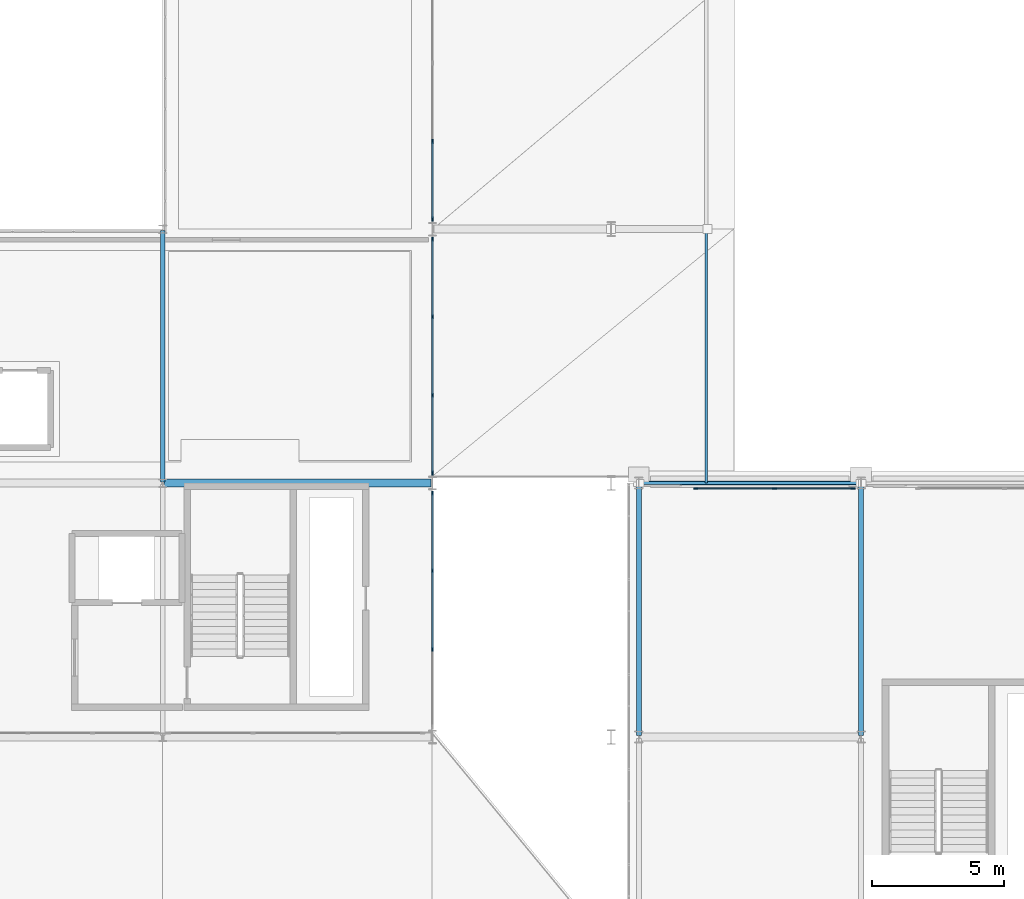
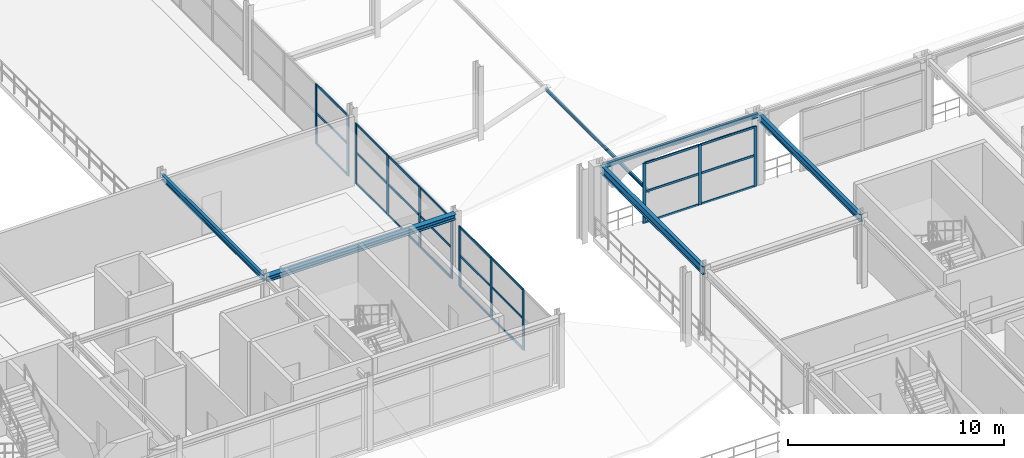
# One storey, part 20 of 81: 37 members, 5 beams, 4 elements without a shape of their own.
"""IFC4 building model written with IfcOpenShell, lengths in metres."""

from ifc_helpers import new_model, si_unit, direction, frame, origin, origin_2d, place, context, subcontext, project, spatial, rectangle, hollow_rectangle, i_section, extrude, material, layer, layer_set, material_profile, profile_set, type_object, element, aggregate, save


model = new_model("IFC4")

# Units and contexts
model_context = context("Model", 3, precision=1e-05, world=origin(), true_north=direction((0.0, 1.0)))
body_context = subcontext(model_context, "Body", "Model", "MODEL_VIEW")
ifc_project = project(units=[si_unit("LENGTHUNIT", "METRE"), si_unit("AREAUNIT", "SQUARE_METRE"), si_unit("VOLUMEUNIT", "CUBIC_METRE"), si_unit("PLANEANGLEUNIT", "RADIAN"), si_unit("MASSUNIT", "GRAM", prefix="KILO")], contexts=[model_context])

# Site, building, storey
site_placement = place(None, origin())
site = spatial("IfcSite", under=ifc_project, at=site_placement, CompositionType="ELEMENT")
building_placement = place(site_placement, origin())
building = spatial("IfcBuilding", under=site, at=building_placement, Name="Myrtia Square Station", CompositionType="ELEMENT")
storey_placement = place(building_placement, frame((0.0, 0.0, 10.800048828125)))
storey = spatial("IfcBuildingStorey", under=building, at=storey_placement, Name="L02", CompositionType="ELEMENT", Elevation=10.800048828125)

# Beams
ifc_material_1 = material(Name="Steel S355", Category="steel")
ifc_material_profile_1 = material_profile(ifc_material_1, i_section(OverallWidth=0.300048828125, OverallDepth=0.300048828125, WebThickness=0.010986328125, FlangeThickness=0.01904296875, FilletRadius=0.027099609375, at=origin_2d()), Name="HEB 300")
ifc_profile_set_1 = profile_set([ifc_material_profile_1], Name="Steel S355")
beam_type_1 = type_object("IfcBeamType", Name="BM-HEB300", PredefinedType="BEAM", material=ifc_profile_set_1)
beam_1_placement = place(storey_placement, frame((99.64990234375, 38.39990234375, 3.81005859375), z_axis=(1.0, 0.0, 0.0), x_axis=(0.0, 1.0, 0.0)))
element("IfcBeam", 1, at=beam_1_placement, inside=storey, type_object=beam_type_1, Name="Structural girder BMX-L02-0696", PredefinedType="BEAM", context=body_context, shape_type="SweptSolid", body=[
    extrude(i_section(OverallWidth=0.300048828125, OverallDepth=0.300048828125, WebThickness=0.010986328125, FlangeThickness=0.01904296875, FilletRadius=0.027099609375, at=origin_2d()), origin(), (0.0, 0.0, 1.0), 10.10009765625),
])
ifc_material_profile_2 = material_profile(ifc_material_1, i_section(OverallWidth=0.159912109375, OverallDepth=0.330078125, WebThickness=0.007568359375, FlangeThickness=0.011474609375, FilletRadius=0.01806640625, at=origin_2d()), Name="IPE 330")
ifc_profile_set_2 = profile_set([ifc_material_profile_2], Name="Steel S355")
beam_type_2 = type_object("IfcBeamType", Name="BM-IPE330", PredefinedType="BEAM", material=ifc_profile_set_2)
beam_2_placement = place(storey_placement, frame((99.60009765625, 38.449951171875, 3.794921875), z_axis=(0.0, 1.0, 0.0), x_axis=(-1.0, 0.0, 0.0)))
element("IfcBeam", 2, at=beam_2_placement, inside=storey, type_object=beam_type_2, Name="Structural girder BMY-L02-0708", PredefinedType="BEAM", context=body_context, shape_type="SweptSolid", body=[
    extrude(i_section(OverallWidth=0.159912109375, OverallDepth=0.330078125, WebThickness=0.007568359375, FlangeThickness=0.011474609375, FilletRadius=0.01806640625, at=origin_2d()), origin(), (0.0, 0.0, 1.0), 9.5),
])
ifc_material_profile_3 = material_profile(ifc_material_1, i_section(OverallWidth=0.179931640625, OverallDepth=0.39990234375, WebThickness=0.008544921875, FlangeThickness=0.013427734375, FilletRadius=0.02099609375, at=origin_2d()), Name="IPE 400")
ifc_profile_set_3 = profile_set([ifc_material_profile_3], Name="Steel S355")
beam_type_3 = type_object("IfcBeamType", Name="BM-IPE400", PredefinedType="BEAM", material=ifc_profile_set_3)
beam_3_placement = place(storey_placement, frame((126.0, 28.85009765625, 3.760009765625), z_axis=(0.0, 1.0, 0.0), x_axis=(-1.0, 0.0, 0.0)))
element("IfcBeam", 3, at=beam_3_placement, inside=storey, type_object=beam_type_3, Name="Structural girder BMY-L02-0733", PredefinedType="BEAM", context=body_context, shape_type="SweptSolid", body=[
    extrude(i_section(OverallWidth=0.179931640625, OverallDepth=0.39990234375, WebThickness=0.008544921875, FlangeThickness=0.013427734375, FilletRadius=0.02099609375, at=origin_2d()), origin(), (0.0, 0.0, 1.0), 9.5),
])
ifc_material_profile_4 = material_profile(ifc_material_1, i_section(OverallWidth=0.18994140625, OverallDepth=0.449951171875, WebThickness=0.009521484375, FlangeThickness=0.0146484375, FilletRadius=0.02099609375, at=origin_2d()), Name="IPE 450")
ifc_profile_set_4 = profile_set([ifc_material_profile_4], Name="Steel S355")
beam_type_4 = type_object("IfcBeamType", Name="BM-IPE450", PredefinedType="BEAM", material=ifc_profile_set_4)
beam_4_placement = place(storey_placement, frame((117.60009765625, 28.85009765625, 3.73486328125), z_axis=(0.0, 1.0, 0.0), x_axis=(-1.0, 0.0, 0.0)))
element("IfcBeam", 4, at=beam_4_placement, inside=storey, type_object=beam_type_4, Name="Structural girder BMY-L02-0729", PredefinedType="BEAM", context=body_context, shape_type="SweptSolid", body=[
    extrude(i_section(OverallWidth=0.18994140625, OverallDepth=0.449951171875, WebThickness=0.009521484375, FlangeThickness=0.0146484375, FilletRadius=0.02099609375, at=origin_2d()), origin(), (0.0, 0.0, 1.0), 9.5),
])

# Curtain wall, members
ifc_material_2 = material(Name="Dark bronze anodised aluminium", Category="aluminium")
ifc_layer_1 = layer(ifc_material_2, 0.159912109375, Name="Dark bronze anodised aluminium")
ifc_layer_set_1 = layer_set([ifc_layer_1], Name="Dark bronze anodised aluminium")
curtain_wall_type_1 = type_object("IfcCurtainWallType", Name="CW-TYPE-06-890x341", PredefinedType="USERDEFINED", material=ifc_layer_set_1)
curtain_wall_1_placement = place(storey_placement, origin())
curtain_wall_1 = element("IfcCurtainWall", 5, at=curtain_wall_1_placement, inside=storey, type_object=curtain_wall_type_1, Name="Concourse curtain wall CW-L02-020", ObjectType="CONCOURSE CURTAIN WALL", PredefinedType="USERDEFINED")
ifc_material_profile_5 = material_profile(ifc_material_2, rectangle(XDim=0.06005859375, YDim=0.159912109375, at=origin_2d()), Name="ALU-M 60x160")
ifc_profile_set_5 = profile_set([ifc_material_profile_5], Name="Dark bronze anodised aluminium")
member_type_1 = type_object("IfcMemberType", Name="CWM-60x160", PredefinedType="MULLION", material=ifc_profile_set_5)
member_1_placement = place(storey_placement, frame((109.800048828125, 32.11669921875, 0.0), z_axis=(0.0, 0.0, 1.0), x_axis=(-1.0, 0.0, 0.0)))
member_1 = element("IfcMember", 6, at=member_1_placement, type_object=member_type_1, Name="CW-020 mullion 2", PredefinedType="MULLION", context=body_context, shape_type="SweptSolid", body=[
    extrude(rectangle(XDim=0.06005859375, YDim=0.159912109375, at=origin_2d()), origin(), (0.0, 0.0, 1.0), 3.409912109375),
])
member_2_placement = place(storey_placement, frame((109.800048828125, 35.083251953125, 0.0), z_axis=(0.0, 0.0, 1.0), x_axis=(-1.0, 0.0, 0.0)))
member_2 = element("IfcMember", 7, at=member_2_placement, type_object=member_type_1, Name="CW-020 mullion 3", PredefinedType="MULLION", context=body_context, shape_type="SweptSolid", body=[
    extrude(rectangle(XDim=0.06005859375, YDim=0.159912109375, at=origin_2d()), origin(), (0.0, 0.0, 1.0), 3.409912109375),
])
member_3_placement = place(storey_placement, frame((109.800048828125, 38.02001953125, 0.0), z_axis=(0.0, 0.0, 1.0), x_axis=(-1.0, 0.0, 0.0)))
member_3 = element("IfcMember", 8, at=member_3_placement, type_object=member_type_1, Name="CW-020 mullion 4", PredefinedType="MULLION", context=body_context, shape_type="SweptSolid", body=[
    extrude(rectangle(XDim=0.06005859375, YDim=0.159912109375, at=origin_2d()), origin(), (0.0, 0.0, 1.0), 3.409912109375),
])

curtain_wall_2_placement = place(storey_placement, origin())
curtain_wall_2 = element("IfcCurtainWall", 9, at=curtain_wall_2_placement, inside=storey, type_object=curtain_wall_type_1, Name="Concourse curtain wall CW-L02-022", ObjectType="CONCOURSE CURTAIN WALL", PredefinedType="USERDEFINED")
member_4_placement = place(storey_placement, frame((109.800048828125, 38.780029296875, 0.0), z_axis=(0.0, 0.0, 1.0), x_axis=(-1.0, 0.0, 0.0)))
member_4 = element("IfcMember", 10, at=member_4_placement, type_object=member_type_1, Name="CW-022 mullion 1", PredefinedType="MULLION", context=body_context, shape_type="SweptSolid", body=[
    extrude(rectangle(XDim=0.06005859375, YDim=0.159912109375, at=origin_2d()), origin(), (0.0, 0.0, 1.0), 3.409912109375),
])
member_5_placement = place(storey_placement, frame((109.800048828125, 41.716552734375, 0.0), z_axis=(0.0, 0.0, 1.0), x_axis=(-1.0, 0.0, 0.0)))
member_5 = element("IfcMember", 11, at=member_5_placement, type_object=member_type_1, Name="CW-022 mullion 2", PredefinedType="MULLION", context=body_context, shape_type="SweptSolid", body=[
    extrude(rectangle(XDim=0.06005859375, YDim=0.159912109375, at=origin_2d()), origin(), (0.0, 0.0, 1.0), 3.409912109375),
])
member_6_placement = place(storey_placement, frame((109.800048828125, 44.683349609375, 0.0), z_axis=(0.0, 0.0, 1.0), x_axis=(-1.0, 0.0, 0.0)))
member_6 = element("IfcMember", 12, at=member_6_placement, type_object=member_type_1, Name="CW-022 mullion 3", PredefinedType="MULLION", context=body_context, shape_type="SweptSolid", body=[
    extrude(rectangle(XDim=0.06005859375, YDim=0.159912109375, at=origin_2d()), origin(), (0.0, 0.0, 1.0), 3.409912109375),
])
member_7_placement = place(storey_placement, frame((109.800048828125, 47.6201171875, 0.0), z_axis=(0.0, 0.0, 1.0), x_axis=(-1.0, 0.0, 0.0)))
member_7 = element("IfcMember", 13, at=member_7_placement, type_object=member_type_1, Name="CW-022 mullion 4", PredefinedType="MULLION", context=body_context, shape_type="SweptSolid", body=[
    extrude(rectangle(XDim=0.06005859375, YDim=0.159912109375, at=origin_2d()), origin(), (0.0, 0.0, 1.0), 3.409912109375),
])

curtain_wall_3_placement = place(storey_placement, origin())
curtain_wall_3 = element("IfcCurtainWall", 14, at=curtain_wall_3_placement, inside=storey, type_object=curtain_wall_type_1, Name="Concourse curtain wall CW-L02-024", ObjectType="CONCOURSE CURTAIN WALL", PredefinedType="USERDEFINED")
member_8_placement = place(storey_placement, frame((109.800048828125, 48.3798828125, 0.0), z_axis=(0.0, 0.0, 1.0), x_axis=(-1.0, 0.0, 0.0)))
member_8 = element("IfcMember", 15, at=member_8_placement, type_object=member_type_1, Name="CW-024 mullion 1", PredefinedType="MULLION", context=body_context, shape_type="SweptSolid", body=[
    extrude(rectangle(XDim=0.06005859375, YDim=0.159912109375, at=origin_2d()), origin(), (0.0, 0.0, 1.0), 3.409912109375),
])
member_9_placement = place(storey_placement, frame((109.800048828125, 51.316650390625, 0.0), z_axis=(0.0, 0.0, 1.0), x_axis=(-1.0, 0.0, 0.0)))
member_9 = element("IfcMember", 16, at=member_9_placement, type_object=member_type_1, Name="CW-024 mullion 2", PredefinedType="MULLION", context=body_context, shape_type="SweptSolid", body=[
    extrude(rectangle(XDim=0.06005859375, YDim=0.159912109375, at=origin_2d()), origin(), (0.0, 0.0, 1.0), 3.409912109375),
])

ifc_layer_2 = layer(ifc_material_2, 0.159912109375, Name="Dark bronze anodised aluminium")
ifc_layer_set_2 = layer_set([ifc_layer_2], Name="Dark bronze anodised aluminium")
curtain_wall_type_2 = type_object("IfcCurtainWallType", Name="CW-TYPE-27-600x340", PredefinedType="USERDEFINED", material=ifc_layer_set_2)
curtain_wall_4_placement = place(storey_placement, origin())
curtain_wall_4 = element("IfcCurtainWall", 17, at=curtain_wall_4_placement, inside=storey, type_object=curtain_wall_type_2, Name="Concourse curtain wall CW-L02-097", ObjectType="CONCOURSE CURTAIN WALL", PredefinedType="USERDEFINED")
member_10_placement = place(storey_placement, frame((119.7548828125, 38.199951171875, 0.0), z_axis=(0.0, 0.0, 1.0), x_axis=(0.0, 1.0, 0.0)))
member_10 = element("IfcMember", 18, at=member_10_placement, type_object=member_type_1, Name="CW-097 mullion 1", PredefinedType="MULLION", context=body_context, shape_type="SweptSolid", body=[
    extrude(rectangle(XDim=0.06005859375, YDim=0.159912109375, at=origin_2d()), origin(), (0.0, 0.0, 1.0), 3.39990234375),
])
member_11_placement = place(storey_placement, frame((122.72509765625, 38.199951171875, 0.0), z_axis=(0.0, 0.0, 1.0), x_axis=(0.0, 1.0, 0.0)))
member_11 = element("IfcMember", 19, at=member_11_placement, type_object=member_type_1, Name="CW-097 mullion 2", PredefinedType="MULLION", context=body_context, shape_type="SweptSolid", body=[
    extrude(rectangle(XDim=0.06005859375, YDim=0.159912109375, at=origin_2d()), origin(), (0.0, 0.0, 1.0), 3.39990234375),
])
member_12_placement = place(storey_placement, frame((125.695068359375, 38.199951171875, 0.0), z_axis=(0.0, 0.0, 1.0), x_axis=(0.0, 1.0, 0.0)))
member_12 = element("IfcMember", 20, at=member_12_placement, type_object=member_type_1, Name="CW-097 mullion 3", PredefinedType="MULLION", context=body_context, shape_type="SweptSolid", body=[
    extrude(rectangle(XDim=0.06005859375, YDim=0.159912109375, at=origin_2d()), origin(), (0.0, 0.0, 1.0), 3.39990234375),
])

# Member
ifc_material_profile_6 = material_profile(ifc_material_2, rectangle(XDim=0.06005859375, YDim=0.1201171875, at=origin_2d()), Name="ALU-T 60x120")
ifc_profile_set_6 = profile_set([ifc_material_profile_6], Name="Dark bronze anodised aluminium")
member_type_2 = type_object("IfcMemberType", Name="CWT-60x120", PredefinedType="USERDEFINED", material=ifc_profile_set_6)
member_13_placement = place(storey_placement, frame((109.800048828125, 32.146728515625, 0.030029296875), z_axis=(0.0, 1.0, 0.0), x_axis=(-1.0, 0.0, 0.0)))
member_13 = element("IfcMember", 21, at=member_13_placement, type_object=member_type_2, Name="CW-020 transom 2.1", ObjectType="TRANSOM", PredefinedType="USERDEFINED", context=body_context, shape_type="SweptSolid", body=[
    extrude(rectangle(XDim=0.06005859375, YDim=0.1201171875, at=origin_2d()), origin(), (0.0, 0.0, 1.0), 2.906494140625),
])

member_14_placement = place(storey_placement, frame((109.800048828125, 32.146728515625, 1.77294921875), z_axis=(0.0, 1.0, 0.0), x_axis=(-1.0, 0.0, 0.0)))
member_14 = element("IfcMember", 22, at=member_14_placement, type_object=member_type_2, Name="CW-020 transom 2.2", ObjectType="TRANSOM", PredefinedType="USERDEFINED", context=body_context, shape_type="SweptSolid", body=[
    extrude(rectangle(XDim=0.06005859375, YDim=0.1201171875, at=origin_2d()), origin(), (0.0, 0.0, 1.0), 2.906494140625),
])

member_15_placement = place(storey_placement, frame((109.800048828125, 32.146728515625, 3.3798828125), z_axis=(0.0, 1.0, 0.0), x_axis=(-1.0, 0.0, 0.0)))
member_15 = element("IfcMember", 23, at=member_15_placement, type_object=member_type_2, Name="CW-020 transom 2.3", ObjectType="TRANSOM", PredefinedType="USERDEFINED", context=body_context, shape_type="SweptSolid", body=[
    extrude(rectangle(XDim=0.06005859375, YDim=0.1201171875, at=origin_2d()), origin(), (0.0, 0.0, 1.0), 2.906494140625),
])

member_16_placement = place(storey_placement, frame((109.800048828125, 35.11328125, 0.030029296875), z_axis=(0.0, 1.0, 0.0), x_axis=(-1.0, 0.0, 0.0)))
member_16 = element("IfcMember", 24, at=member_16_placement, type_object=member_type_2, Name="CW-020 transom 3.1", ObjectType="TRANSOM", PredefinedType="USERDEFINED", context=body_context, shape_type="SweptSolid", body=[
    extrude(rectangle(XDim=0.06005859375, YDim=0.1201171875, at=origin_2d()), origin(), (0.0, 0.0, 1.0), 2.876708984375),
])

member_17_placement = place(storey_placement, frame((109.800048828125, 35.11328125, 1.77294921875), z_axis=(0.0, 1.0, 0.0), x_axis=(-1.0, 0.0, 0.0)))
member_17 = element("IfcMember", 25, at=member_17_placement, type_object=member_type_2, Name="CW-020 transom 3.2", ObjectType="TRANSOM", PredefinedType="USERDEFINED", context=body_context, shape_type="SweptSolid", body=[
    extrude(rectangle(XDim=0.06005859375, YDim=0.1201171875, at=origin_2d()), origin(), (0.0, 0.0, 1.0), 2.876708984375),
])

member_18_placement = place(storey_placement, frame((109.800048828125, 35.11328125, 3.3798828125), z_axis=(0.0, 1.0, 0.0), x_axis=(-1.0, 0.0, 0.0)))
member_18 = element("IfcMember", 26, at=member_18_placement, type_object=member_type_2, Name="CW-020 transom 3.3", ObjectType="TRANSOM", PredefinedType="USERDEFINED", context=body_context, shape_type="SweptSolid", body=[
    extrude(rectangle(XDim=0.06005859375, YDim=0.1201171875, at=origin_2d()), origin(), (0.0, 0.0, 1.0), 2.876708984375),
])

aggregate(curtain_wall_1, [member_1, member_2, member_3, member_13, member_14, member_15, member_16, member_17, member_18])

member_19_placement = place(storey_placement, frame((109.800048828125, 38.81005859375, 0.030029296875), z_axis=(0.0, 1.0, 0.0), x_axis=(-1.0, 0.0, 0.0)))
member_19 = element("IfcMember", 27, at=member_19_placement, type_object=member_type_2, Name="CW-022 transom 1.1", ObjectType="TRANSOM", PredefinedType="USERDEFINED", context=body_context, shape_type="SweptSolid", body=[
    extrude(rectangle(XDim=0.06005859375, YDim=0.1201171875, at=origin_2d()), origin(), (0.0, 0.0, 1.0), 2.876708984375),
])

member_20_placement = place(storey_placement, frame((109.800048828125, 38.81005859375, 1.77294921875), z_axis=(0.0, 1.0, 0.0), x_axis=(-1.0, 0.0, 0.0)))
member_20 = element("IfcMember", 28, at=member_20_placement, type_object=member_type_2, Name="CW-022 transom 1.2", ObjectType="TRANSOM", PredefinedType="USERDEFINED", context=body_context, shape_type="SweptSolid", body=[
    extrude(rectangle(XDim=0.06005859375, YDim=0.1201171875, at=origin_2d()), origin(), (0.0, 0.0, 1.0), 2.876708984375),
])

member_21_placement = place(storey_placement, frame((109.800048828125, 38.81005859375, 3.3798828125), z_axis=(0.0, 1.0, 0.0), x_axis=(-1.0, 0.0, 0.0)))
member_21 = element("IfcMember", 29, at=member_21_placement, type_object=member_type_2, Name="CW-022 transom 1.3", ObjectType="TRANSOM", PredefinedType="USERDEFINED", context=body_context, shape_type="SweptSolid", body=[
    extrude(rectangle(XDim=0.06005859375, YDim=0.1201171875, at=origin_2d()), origin(), (0.0, 0.0, 1.0), 2.876708984375),
])

member_22_placement = place(storey_placement, frame((109.800048828125, 41.74658203125, 0.030029296875), z_axis=(0.0, 1.0, 0.0), x_axis=(-1.0, 0.0, 0.0)))
member_22 = element("IfcMember", 30, at=member_22_placement, type_object=member_type_2, Name="CW-022 transom 2.1", ObjectType="TRANSOM", PredefinedType="USERDEFINED", context=body_context, shape_type="SweptSolid", body=[
    extrude(rectangle(XDim=0.06005859375, YDim=0.1201171875, at=origin_2d()), origin(), (0.0, 0.0, 1.0), 2.90673828125),
])

member_23_placement = place(storey_placement, frame((109.800048828125, 41.74658203125, 1.77294921875), z_axis=(0.0, 1.0, 0.0), x_axis=(-1.0, 0.0, 0.0)))
member_23 = element("IfcMember", 31, at=member_23_placement, type_object=member_type_2, Name="CW-022 transom 2.2", ObjectType="TRANSOM", PredefinedType="USERDEFINED", context=body_context, shape_type="SweptSolid", body=[
    extrude(rectangle(XDim=0.06005859375, YDim=0.1201171875, at=origin_2d()), origin(), (0.0, 0.0, 1.0), 2.90673828125),
])

member_24_placement = place(storey_placement, frame((109.800048828125, 41.74658203125, 3.3798828125), z_axis=(0.0, 1.0, 0.0), x_axis=(-1.0, 0.0, 0.0)))
member_24 = element("IfcMember", 32, at=member_24_placement, type_object=member_type_2, Name="CW-022 transom 2.3", ObjectType="TRANSOM", PredefinedType="USERDEFINED", context=body_context, shape_type="SweptSolid", body=[
    extrude(rectangle(XDim=0.06005859375, YDim=0.1201171875, at=origin_2d()), origin(), (0.0, 0.0, 1.0), 2.90673828125),
])

member_25_placement = place(storey_placement, frame((109.800048828125, 44.71337890625, 0.030029296875), z_axis=(0.0, 1.0, 0.0), x_axis=(-1.0, 0.0, 0.0)))
member_25 = element("IfcMember", 33, at=member_25_placement, type_object=member_type_2, Name="CW-022 transom 3.1", ObjectType="TRANSOM", PredefinedType="USERDEFINED", context=body_context, shape_type="SweptSolid", body=[
    extrude(rectangle(XDim=0.06005859375, YDim=0.1201171875, at=origin_2d()), origin(), (0.0, 0.0, 1.0), 2.876708984375),
])

member_26_placement = place(storey_placement, frame((109.800048828125, 44.71337890625, 1.77294921875), z_axis=(0.0, 1.0, 0.0), x_axis=(-1.0, 0.0, 0.0)))
member_26 = element("IfcMember", 34, at=member_26_placement, type_object=member_type_2, Name="CW-022 transom 3.2", ObjectType="TRANSOM", PredefinedType="USERDEFINED", context=body_context, shape_type="SweptSolid", body=[
    extrude(rectangle(XDim=0.06005859375, YDim=0.1201171875, at=origin_2d()), origin(), (0.0, 0.0, 1.0), 2.876708984375),
])

member_27_placement = place(storey_placement, frame((109.800048828125, 44.71337890625, 3.3798828125), z_axis=(0.0, 1.0, 0.0), x_axis=(-1.0, 0.0, 0.0)))
member_27 = element("IfcMember", 35, at=member_27_placement, type_object=member_type_2, Name="CW-022 transom 3.3", ObjectType="TRANSOM", PredefinedType="USERDEFINED", context=body_context, shape_type="SweptSolid", body=[
    extrude(rectangle(XDim=0.06005859375, YDim=0.1201171875, at=origin_2d()), origin(), (0.0, 0.0, 1.0), 2.876708984375),
])

aggregate(curtain_wall_2, [member_4, member_5, member_6, member_7, member_19, member_20, member_21, member_22, member_23, member_24, member_25, member_26, member_27])

member_28_placement = place(storey_placement, frame((109.800048828125, 48.409912109375, 0.030029296875), z_axis=(0.0, 1.0, 0.0), x_axis=(-1.0, 0.0, 0.0)))
member_28 = element("IfcMember", 36, at=member_28_placement, type_object=member_type_2, Name="CW-024 transom 1.1", ObjectType="TRANSOM", PredefinedType="USERDEFINED", context=body_context, shape_type="SweptSolid", body=[
    extrude(rectangle(XDim=0.06005859375, YDim=0.1201171875, at=origin_2d()), origin(), (0.0, 0.0, 1.0), 2.876708984375),
])

member_29_placement = place(storey_placement, frame((109.800048828125, 48.409912109375, 1.77294921875), z_axis=(0.0, 1.0, 0.0), x_axis=(-1.0, 0.0, 0.0)))
member_29 = element("IfcMember", 37, at=member_29_placement, type_object=member_type_2, Name="CW-024 transom 1.2", ObjectType="TRANSOM", PredefinedType="USERDEFINED", context=body_context, shape_type="SweptSolid", body=[
    extrude(rectangle(XDim=0.06005859375, YDim=0.1201171875, at=origin_2d()), origin(), (0.0, 0.0, 1.0), 2.876708984375),
])

member_30_placement = place(storey_placement, frame((109.800048828125, 48.409912109375, 3.3798828125), z_axis=(0.0, 1.0, 0.0), x_axis=(-1.0, 0.0, 0.0)))
member_30 = element("IfcMember", 38, at=member_30_placement, type_object=member_type_2, Name="CW-024 transom 1.3", ObjectType="TRANSOM", PredefinedType="USERDEFINED", context=body_context, shape_type="SweptSolid", body=[
    extrude(rectangle(XDim=0.06005859375, YDim=0.1201171875, at=origin_2d()), origin(), (0.0, 0.0, 1.0), 2.876708984375),
])

aggregate(curtain_wall_3, [member_8, member_9, member_28, member_29, member_30])

member_31_placement = place(storey_placement, frame((119.784912109375, 38.199951171875, 0.030029296875), z_axis=(1.0, 0.0, 0.0), x_axis=(0.0, 1.0, 0.0)))
member_31 = element("IfcMember", 39, at=member_31_placement, type_object=member_type_2, Name="CW-097 transom 1.1", ObjectType="TRANSOM", PredefinedType="USERDEFINED", context=body_context, shape_type="SweptSolid", body=[
    extrude(rectangle(XDim=0.06005859375, YDim=0.1201171875, at=origin_2d()), origin(), (0.0, 0.0, 1.0), 2.91015625),
])

member_32_placement = place(storey_placement, frame((119.784912109375, 38.199951171875, 1.76806640625), z_axis=(1.0, 0.0, 0.0), x_axis=(0.0, 1.0, 0.0)))
member_32 = element("IfcMember", 40, at=member_32_placement, type_object=member_type_2, Name="CW-097 transom 1.2", ObjectType="TRANSOM", PredefinedType="USERDEFINED", context=body_context, shape_type="SweptSolid", body=[
    extrude(rectangle(XDim=0.06005859375, YDim=0.1201171875, at=origin_2d()), origin(), (0.0, 0.0, 1.0), 2.91015625),
])

member_33_placement = place(storey_placement, frame((119.784912109375, 38.199951171875, 3.369873046875), z_axis=(1.0, 0.0, 0.0), x_axis=(0.0, 1.0, 0.0)))
member_33 = element("IfcMember", 41, at=member_33_placement, type_object=member_type_2, Name="CW-097 transom 1.3", ObjectType="TRANSOM", PredefinedType="USERDEFINED", context=body_context, shape_type="SweptSolid", body=[
    extrude(rectangle(XDim=0.06005859375, YDim=0.1201171875, at=origin_2d()), origin(), (0.0, 0.0, 1.0), 2.91015625),
])

member_34_placement = place(storey_placement, frame((122.7548828125, 38.199951171875, 0.030029296875), z_axis=(1.0, 0.0, 0.0), x_axis=(0.0, 1.0, 0.0)))
member_34 = element("IfcMember", 42, at=member_34_placement, type_object=member_type_2, Name="CW-097 transom 2.1", ObjectType="TRANSOM", PredefinedType="USERDEFINED", context=body_context, shape_type="SweptSolid", body=[
    extrude(rectangle(XDim=0.06005859375, YDim=0.1201171875, at=origin_2d()), origin(), (0.0, 0.0, 1.0), 2.91015625),
])

member_35_placement = place(storey_placement, frame((122.7548828125, 38.199951171875, 1.76806640625), z_axis=(1.0, 0.0, 0.0), x_axis=(0.0, 1.0, 0.0)))
member_35 = element("IfcMember", 43, at=member_35_placement, type_object=member_type_2, Name="CW-097 transom 2.2", ObjectType="TRANSOM", PredefinedType="USERDEFINED", context=body_context, shape_type="SweptSolid", body=[
    extrude(rectangle(XDim=0.06005859375, YDim=0.1201171875, at=origin_2d()), origin(), (0.0, 0.0, 1.0), 2.91015625),
])

member_36_placement = place(storey_placement, frame((122.7548828125, 38.199951171875, 3.369873046875), z_axis=(1.0, 0.0, 0.0), x_axis=(0.0, 1.0, 0.0)))
member_36 = element("IfcMember", 44, at=member_36_placement, type_object=member_type_2, Name="CW-097 transom 2.3", ObjectType="TRANSOM", PredefinedType="USERDEFINED", context=body_context, shape_type="SweptSolid", body=[
    extrude(rectangle(XDim=0.06005859375, YDim=0.1201171875, at=origin_2d()), origin(), (0.0, 0.0, 1.0), 2.91015625),
])

aggregate(curtain_wall_4, [member_10, member_11, member_12, member_31, member_32, member_33, member_34, member_35, member_36])

ifc_material_profile_7 = material_profile(ifc_material_1, i_section(OverallWidth=0.091064453125, OverallDepth=0.179931640625, WebThickness=0.00537109375, FlangeThickness=0.008056640625, FilletRadius=0.009033203125, at=origin_2d()), Name="IPE 180")
ifc_profile_set_7 = profile_set([ifc_material_profile_7], Name="Steel S355")
member_type_3 = type_object("IfcMemberType", Name="PUR-IPE180", PredefinedType="PURLIN", material=ifc_profile_set_7)
member_37_placement = place(storey_placement, frame((120.14990234375, 38.39990234375, 1.510009765625), z_axis=(0.0, 1.0, 0.0), x_axis=(-1.0, 0.0, 0.0)))
element("IfcMember", 45, at=member_37_placement, inside=storey, type_object=member_type_3, Name="Overhang eave purlin PUR-L02-0017", PredefinedType="PURLIN", context=body_context, shape_type="SweptSolid", body=[
    extrude(i_section(OverallWidth=0.091064453125, OverallDepth=0.179931640625, WebThickness=0.00537109375, FlangeThickness=0.008056640625, FilletRadius=0.009033203125, at=origin_2d()), origin(), (0.0, 0.0, 1.0), 9.60009765625),
])

# Beam
ifc_material_profile_8 = material_profile(ifc_material_1, hollow_rectangle(XDim=0.14990234375, YDim=0.25, WallThickness=0.012451171875, InnerFilletRadius=0.012451171875, OuterFilletRadius=0.02490234375, at=origin_2d()), Name="RHS 250x150x12.5")
ifc_profile_set_8 = profile_set([ifc_material_profile_8], Name="Steel S355")
beam_type_5 = type_object("IfcBeamType", Name="SPN-RHS250", PredefinedType="SPANDREL", material=ifc_profile_set_8)
beam_5_placement = place(storey_placement, frame((117.64990234375, 38.39990234375, 3.8349609375), z_axis=(1.0, 0.0, 0.0), x_axis=(0.0, 1.0, 0.0)))
element("IfcBeam", 46, at=beam_5_placement, inside=storey, type_object=beam_type_5, Name="Structural girder SPN-L02-0201", PredefinedType="SPANDREL", context=body_context, shape_type="SweptSolid", body=[
    extrude(hollow_rectangle(XDim=0.14990234375, YDim=0.25, WallThickness=0.012451171875, InnerFilletRadius=0.012451171875, OuterFilletRadius=0.02490234375, at=origin_2d()), origin(), (0.0, 0.0, 1.0), 8.300048828125),
])

save(model, "model.ifc")
